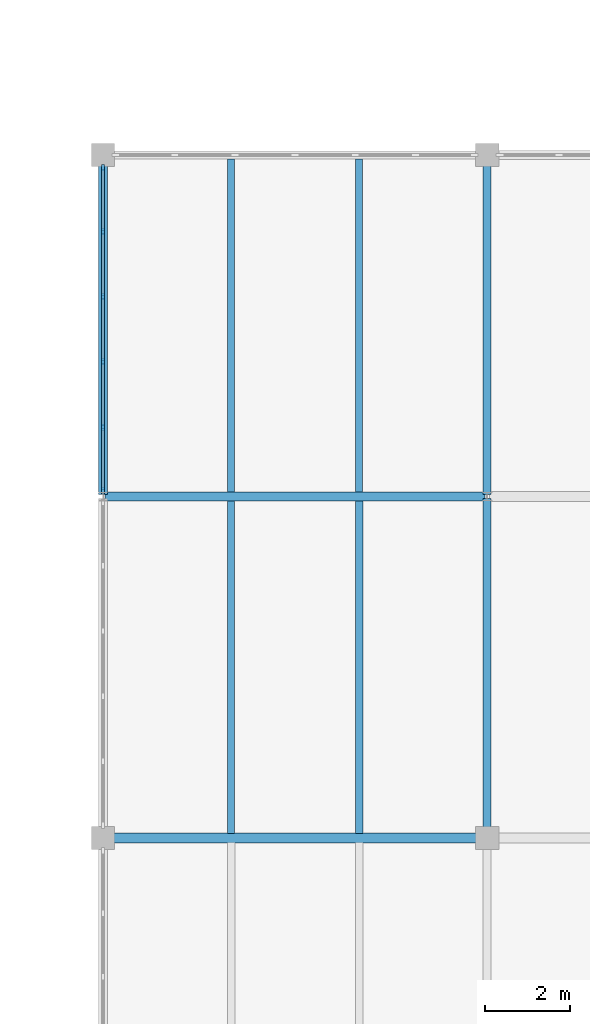
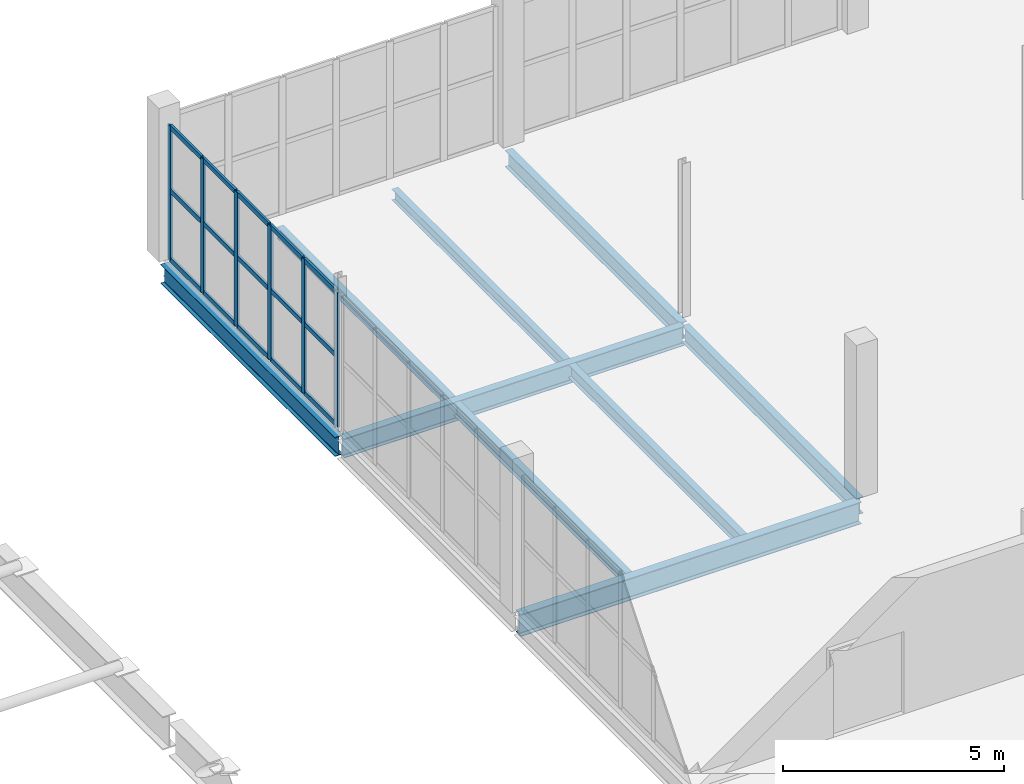
# One storey, part 15 of 54: 21 members, 9 beams, 1 element without a shape of its own.
"""IFC4 building model written with IfcOpenShell, lengths in metres."""

import ifcopenshell
import ifcopenshell.guid

model = None  # the IFC model being written
_history = None  # IfcOwnerHistory: only IFC2X3 demands one
_inside = {}  # id of a spatial element -> (the spatial element, [elements in it])
_under = {}  # id of a project, library or spatial element -> (it, [spatial elements below it])
_declared = {}  # id of a project -> (the project, [libraries it declares])
_typed = {}  # id of a type object -> (the type object, [elements of that type])
_made_of = {}  # id of a material, layer set ... -> (it, [elements and type objects made of it])


def new_model(schema):
    """Start an empty IFC model of exactly this schema.

    Asked for "IFC4X3", IfcOpenShell would pick the latest addendum, in which some entities
    have other attributes; the version numbers below select the first issue.
    IFC2X3 requires an IfcOwnerHistory on every rooted entity: one is made here for all.
    """
    global model, _history
    if schema == "IFC4X3":
        model = ifcopenshell.file(schema_version=(4, 3, 0, 0))
    else:
        model = ifcopenshell.file(schema=schema)
    _inside.clear()
    _under.clear()
    _declared.clear()
    _typed.clear()
    _made_of.clear()
    _history = None
    if model.schema == "IFC2X3":
        org = make("IfcOrganization", Name="unknown")
        user = make(
            "IfcPersonAndOrganization",
            ThePerson=make("IfcPerson", FamilyName="unknown"),
            TheOrganization=org,
        )
        app = make(
            "IfcApplication",
            ApplicationDeveloper=org,
            Version="unknown",
            ApplicationFullName="unknown",
            ApplicationIdentifier="unknown",
        )
        _history = make(
            "IfcOwnerHistory",
            OwningUser=user,
            OwningApplication=app,
            ChangeAction="ADDED",
            CreationDate=0,
        )
    return model


def make(cls, **values):
    """One entity of the class cls with the attributes given. An attribute that is None is left unset."""
    return model.create_entity(
        cls, **{name: value for name, value in values.items() if value is not None}
    )


def rooted(cls, **values):
    """An entity with a GlobalId (a new one), such as an element, a storey or a relation."""
    return make(cls, GlobalId=ifcopenshell.guid.new(), OwnerHistory=_history, **values)


def si_unit(unit_type, name, prefix=None):
    """IfcSIUnit, for example si_unit("LENGTHUNIT", "METRE", prefix="MILLI")."""
    return make("IfcSIUnit", UnitType=unit_type, Prefix=prefix, Name=name)


def assignment(units):
    """IfcUnitAssignment: the units of a project."""
    return None if units is None else make("IfcUnitAssignment", Units=units)


def point(xyz):
    """IfcCartesianPoint."""
    return None if xyz is None else make("IfcCartesianPoint", Coordinates=xyz)


def direction(xyz):
    """IfcDirection."""
    return None if xyz is None else make("IfcDirection", DirectionRatios=xyz)


def frame(location, z_axis=None, x_axis=None):
    """IfcAxis2Placement3D, a coordinate frame: its origin and axes. An axis left out is left unset."""
    return make(
        "IfcAxis2Placement3D",
        Location=point(location),
        Axis=direction(z_axis),
        RefDirection=direction(x_axis),
    )


def frame_2d(location, x_axis=None):
    """IfcAxis2Placement2D, a coordinate frame in the plane: its origin and x axis."""
    return make(
        "IfcAxis2Placement2D", Location=point(location), RefDirection=direction(x_axis)
    )


def origin():
    """The frame at (0, 0, 0) with its axes left unset."""
    return frame((0.0, 0.0, 0.0))


def origin_2d():
    """The frame at (0, 0) in the plane with its x axis left unset."""
    return frame_2d((0.0, 0.0))


def place(relative_to, where):
    """IfcLocalPlacement: puts the frame where relative to a parent placement (None: the world)."""
    return make(
        "IfcLocalPlacement", PlacementRelTo=relative_to, RelativePlacement=where
    )


def context(
    kind, dimensions, precision=None, world=None, true_north=None, identifier=None
):
    """IfcGeometricRepresentationContext, for example the 3D "Model" context."""
    return make(
        "IfcGeometricRepresentationContext",
        ContextIdentifier=identifier,
        ContextType=kind,
        CoordinateSpaceDimension=dimensions,
        Precision=precision,
        WorldCoordinateSystem=world,
        TrueNorth=true_north,
    )


def subcontext(parent, identifier, kind, view, scale=None):
    """IfcGeometricRepresentationSubContext, for example "Body" below "Model"."""
    return make(
        "IfcGeometricRepresentationSubContext",
        ContextIdentifier=identifier,
        ContextType=kind,
        ParentContext=parent,
        TargetScale=scale,
        TargetView=view,
    )


def project(units=None, contexts=None):
    """IfcProject with its units and contexts."""
    return rooted(
        "IfcProject",
        Name="project",
        RepresentationContexts=contexts,
        UnitsInContext=assignment(units),
    )


def spatial(cls, under=None, at=None, **own):
    """A site, building, storey or space (cls), placed at a placement, below another one or the project."""
    s = rooted(cls, ObjectPlacement=at, **own)
    if under is not None:
        _under.setdefault(under.id(), (under, []))[1].append(s)
    return s


def profile(cls, at=None, kind="AREA", **sizes):
    """A parametric profile (cls). Its sizes go by their IFC names, for example OverallWidth=200.0."""
    return make(cls, ProfileType=kind, Position=at, **sizes)


def rectangle(**sizes):
    """IfcRectangleProfileDef."""
    return profile("IfcRectangleProfileDef", **sizes)


def i_section(**sizes):
    """IfcIShapeProfileDef."""
    return profile("IfcIShapeProfileDef", **sizes)


def extrude(swept, where, along, depth):
    """IfcExtrudedAreaSolid: the profile swept, set in the frame where, extruded along a direction by depth."""
    return make(
        "IfcExtrudedAreaSolid",
        SweptArea=swept,
        Position=where,
        ExtrudedDirection=direction(along),
        Depth=depth,
    )


def shape(context_of_items, identifier, shape_type, items):
    """IfcShapeRepresentation: the items that make up one representation, for example the "Body"."""
    return make(
        "IfcShapeRepresentation",
        ContextOfItems=context_of_items,
        RepresentationIdentifier=identifier,
        RepresentationType=shape_type,
        Items=items,
    )


def material(Name=None, Category=None):
    """IfcMaterial."""
    return make("IfcMaterial", Name=Name, Category=Category)


def layer(
    of_material, thickness, ventilated=None, Name=None, Category=None, Priority=None
):
    """IfcMaterialLayer: one layer of a wall or slab, of a material (None: an air gap)."""
    return make(
        "IfcMaterialLayer",
        Material=of_material,
        LayerThickness=thickness,
        IsVentilated=ventilated,
        Name=Name,
        Category=Category,
        Priority=Priority,
    )


def layer_set(layers, Name=None):
    """IfcMaterialLayerSet."""
    return make("IfcMaterialLayerSet", MaterialLayers=layers, LayerSetName=Name)


def material_profile(
    of_material, cross_section, Name=None, Category=None, Priority=None
):
    """IfcMaterialProfile: a cross section and its material."""
    return make(
        "IfcMaterialProfile",
        Name=Name,
        Material=of_material,
        Profile=cross_section,
        Priority=Priority,
        Category=Category,
    )


def profile_set(profiles, Name=None, composite=None):
    """IfcMaterialProfileSet."""
    return make(
        "IfcMaterialProfileSet",
        Name=Name,
        MaterialProfiles=profiles,
        CompositeProfile=composite,
    )


def made_of(thing, what):
    """Note that an element or type object is made of a material, layer set ...; save() writes the relation."""
    if what is not None:
        _made_of.setdefault(what.id(), (what, []))[1].append(thing)
    return thing


def type_object(cls, material=None, **own):
    """A type object (cls), such as IfcWallType, which elements share."""
    return made_of(rooted(cls, **own), material)


def element(
    cls,
    number,
    at=None,
    inside=None,
    cuts=None,
    type_object=None,
    material=None,
    context=None,
    identifier="Body",
    shape_type=None,
    held_by="IfcProductDefinitionShape",
    body=None,
    shapes=None,
    **own,
):
    """One element of the class cls, such as IfcWall. Its Tag is "e" and its number.

    at: its placement. inside: the storey or other place that contains it. cuts: it is an
    opening in that element (IfcRelVoidsElement). A single representation is given by context,
    identifier, shape_type and body (its items); several are given by shapes. held_by: the class
    of the entity that holds the representations. save() writes the other relations.
    """
    e = rooted(cls, Tag="e%d" % number, ObjectPlacement=at, **own)
    if body is not None:
        shapes = [shape(context, identifier, shape_type, body)]
    if shapes is not None:
        e.Representation = make(held_by, Representations=shapes)
    if inside is not None:
        _inside.setdefault(inside.id(), (inside, []))[1].append(e)
    if cuts is not None:
        rooted(
            "IfcRelVoidsElement", RelatingBuildingElement=cuts, RelatedOpeningElement=e
        )
    if type_object is not None:
        _typed.setdefault(type_object.id(), (type_object, []))[1].append(e)
    return made_of(e, material)


def aggregate(whole, parts):
    """IfcRelAggregates: a whole, such as a stair, and the parts it consists of."""
    return rooted("IfcRelAggregates", RelatingObject=whole, RelatedObjects=parts)


def save(model, path):
    """Write the relations noted so far, then the file.

    IfcRelAggregates (storeys below a building ...), IfcRelContainedInSpatialStructure (elements
    in a storey), IfcRelDefinesByType, IfcRelAssociatesMaterial and IfcRelDeclares: one each for
    every whole, place, type object, material and project.
    """
    for whole, parts in _under.values():
        aggregate(whole, parts)
    for where, things in _inside.values():
        rooted(
            "IfcRelContainedInSpatialStructure",
            RelatedElements=things,
            RelatingStructure=where,
        )
    for kind, things in _typed.values():
        rooted("IfcRelDefinesByType", RelatedObjects=things, RelatingType=kind)
    for what, things in _made_of.values():
        rooted("IfcRelAssociatesMaterial", RelatedObjects=things, RelatingMaterial=what)
    for by, libraries in _declared.values():
        rooted("IfcRelDeclares", RelatingContext=by, RelatedDefinitions=libraries)
    model.write(path)


model = new_model("IFC4")

# Units and contexts
model_context = context("Model", 3, precision=1e-05, world=origin(), true_north=direction((0.0, 1.0)))
body_context = subcontext(model_context, "Body", "Model", "MODEL_VIEW")
ifc_project = project(units=[si_unit("LENGTHUNIT", "METRE"), si_unit("AREAUNIT", "SQUARE_METRE"), si_unit("VOLUMEUNIT", "CUBIC_METRE"), si_unit("PLANEANGLEUNIT", "RADIAN"), si_unit("MASSUNIT", "GRAM", prefix="KILO")], contexts=[model_context])

# Site, building, storey
site_placement = place(None, origin())
site = spatial("IfcSite", under=ifc_project, at=site_placement, CompositionType="ELEMENT")
building_placement = place(site_placement, origin())
building = spatial("IfcBuilding", under=site, at=building_placement, Name="Marnock Terrace Opera House", CompositionType="ELEMENT")
storey_placement = place(building_placement, frame((0.0, 0.0, 19.199951171875)))
storey = spatial("IfcBuildingStorey", under=building, at=storey_placement, Name="L04", CompositionType="ELEMENT", Elevation=19.199951171875)

# Beams
ifc_material_1 = material(Name="Steel Grade 350 (AS/NZS 3679.1)", Category="steel")
ifc_material_profile_1 = material_profile(ifc_material_1, i_section(OverallWidth=0.18994140625, OverallDepth=0.45751953125, WebThickness=0.009033203125, FlangeThickness=0.014404296875, FilletRadius=0.011474609375, at=origin_2d()))
ifc_profile_set_1 = profile_set([ifc_material_profile_1], Name="Steel Grade 350 (AS/NZS 3679.1)")
beam_type_1 = type_object("IfcBeamType", Name="BM-GIRD-460B", PredefinedType="BEAM", material=ifc_profile_set_1)
for number, where, z_axis, x_axis, name in (
    (1, (127.0, 24.050048828125, -0.478759765625), (0.0, 1.0, 0.0), (-1.0, 0.0, 0.0), "L04 girder (X=127.0, 24.0..32.0)"),
    (2, (127.0, 32.050048828125, -0.478759765625), (0.0, 1.0, 0.0), (-1.0, 0.0, 0.0), "L04 girder (X=127.0, 32.0..40.0)"),
):
    element("IfcBeam", number, at=place(storey_placement, frame(where, z_axis=z_axis, x_axis=x_axis)), inside=storey, type_object=beam_type_1, Name=name, PredefinedType="BEAM", context=body_context, shape_type="SweptSolid", body=[
        extrude(i_section(OverallWidth=0.18994140625, OverallDepth=0.45751953125, WebThickness=0.009033203125, FlangeThickness=0.014404296875, FilletRadius=0.011474609375, at=origin_2d()), origin(), (0.0, 0.0, 1.0), 7.89990234375),
    ])
ifc_material_profile_2 = material_profile(ifc_material_1, i_section(OverallWidth=0.208984375, OverallDepth=0.532958984375, WebThickness=0.01025390625, FlangeThickness=0.015625, FilletRadius=0.013916015625, at=origin_2d()))
ifc_profile_set_2 = profile_set([ifc_material_profile_2], Name="Steel Grade 350 (AS/NZS 3679.1)")
beam_type_2 = type_object("IfcBeamType", Name="BM-GIRD-530A", PredefinedType="BEAM", material=ifc_profile_set_2)
beam_1_placement = place(storey_placement, frame((118.050048828125, 32.0, -0.516357421875), z_axis=(1.0, 0.0, 0.0), x_axis=(0.0, 1.0, 0.0)))
element("IfcBeam", 3, at=beam_1_placement, inside=storey, type_object=beam_type_2, Name="L04 girder (118.0..127.0, Y=32.0)", PredefinedType="BEAM", context=body_context, shape_type="SweptSolid", body=[
    extrude(i_section(OverallWidth=0.208984375, OverallDepth=0.532958984375, WebThickness=0.01025390625, FlangeThickness=0.015625, FilletRadius=0.013916015625, at=origin_2d()), origin(), (0.0, 0.0, 1.0), 8.89990234375),
])
ifc_material_profile_3 = material_profile(ifc_material_1, i_section(OverallWidth=0.208984375, OverallDepth=0.528076171875, WebThickness=0.009521484375, FlangeThickness=0.01318359375, FilletRadius=0.013916015625, at=origin_2d()))
ifc_profile_set_3 = profile_set([ifc_material_profile_3], Name="Steel Grade 350 (AS/NZS 3679.1)")
beam_type_3 = type_object("IfcBeamType", Name="BM-GIRD-530B", PredefinedType="BEAM", material=ifc_profile_set_3)
beam_2_placement = place(storey_placement, frame((118.0, 32.050048828125, -0.513916015625), z_axis=(0.0, 1.0, 0.0), x_axis=(-1.0, 0.0, 0.0)))
element("IfcBeam", 4, at=beam_2_placement, inside=storey, type_object=beam_type_3, Name="L04 girder (X=118.0, 32.0..40.0)", PredefinedType="BEAM", context=body_context, shape_type="SweptSolid", body=[
    extrude(i_section(OverallWidth=0.208984375, OverallDepth=0.528076171875, WebThickness=0.009521484375, FlangeThickness=0.01318359375, FilletRadius=0.013916015625, at=origin_2d()), origin(), (0.0, 0.0, 1.0), 7.89990234375),
])
ifc_material_profile_4 = material_profile(ifc_material_1, i_section(OverallWidth=0.22802734375, OverallDepth=0.60693359375, WebThickness=0.01123046875, FlangeThickness=0.017333984375, FilletRadius=0.013916015625, at=origin_2d()))
ifc_profile_set_4 = profile_set([ifc_material_profile_4], Name="Steel Grade 350 (AS/NZS 3679.1)")
beam_type_4 = type_object("IfcBeamType", Name="BM-GIRD-610B", PredefinedType="BEAM", material=ifc_profile_set_4)
beam_3_placement = place(storey_placement, frame((118.050048828125, 24.0, -0.553466796875), z_axis=(1.0, 0.0, 0.0), x_axis=(0.0, 1.0, 0.0)))
element("IfcBeam", 5, at=beam_3_placement, inside=storey, type_object=beam_type_4, Name="L04 girder (118.0..127.0, Y=24.0)", PredefinedType="BEAM", context=body_context, shape_type="SweptSolid", body=[
    extrude(i_section(OverallWidth=0.22802734375, OverallDepth=0.60693359375, WebThickness=0.01123046875, FlangeThickness=0.017333984375, FilletRadius=0.013916015625, at=origin_2d()), origin(), (0.0, 0.0, 1.0), 8.89990234375),
])
ifc_material_profile_5 = material_profile(ifc_material_1, i_section(OverallWidth=0.166015625, OverallDepth=0.30712890625, WebThickness=0.006591796875, FlangeThickness=0.01171875, FilletRadius=0.011474609375, at=origin_2d()))
ifc_profile_set_5 = profile_set([ifc_material_profile_5], Name="Steel Grade 350 (AS/NZS 3679.1)")
beam_type_5 = type_object("IfcBeamType", Name="BM-JOIST-310A", PredefinedType="JOIST", material=ifc_profile_set_5)
for number, where, z_axis, x_axis, name in (
    (6, (121.0, 32.099609375, -0.403564453125), (0.0, 1.0, 0.0), (-1.0, 0.0, 0.0), "L04 secondary joist 13.4.1"),
    (7, (124.0, 32.099609375, -0.403564453125), (0.0, 1.0, 0.0), (-1.0, 0.0, 0.0), "L04 secondary joist 13.4.2"),
):
    element("IfcBeam", number, at=place(storey_placement, frame(where, z_axis=z_axis, x_axis=x_axis)), inside=storey, type_object=beam_type_5, Name=name, PredefinedType="JOIST", context=body_context, shape_type="SweptSolid", body=[
        extrude(i_section(OverallWidth=0.166015625, OverallDepth=0.30712890625, WebThickness=0.006591796875, FlangeThickness=0.01171875, FilletRadius=0.011474609375, at=origin_2d()), origin(), (0.0, 0.0, 1.0), 7.809814453125),
    ])
ifc_material_profile_6 = material_profile(ifc_material_1, i_section(OverallWidth=0.172119140625, OverallDepth=0.358642578125, WebThickness=0.008056640625, FlangeThickness=0.012939453125, FilletRadius=0.011474609375, at=origin_2d()))
ifc_profile_set_6 = profile_set([ifc_material_profile_6], Name="Steel Grade 350 (AS/NZS 3679.1)")
beam_type_6 = type_object("IfcBeamType", Name="BM-JOIST-360", PredefinedType="JOIST", material=ifc_profile_set_6)
for number, where, z_axis, x_axis, name in (
    (8, (121.0, 24.10888671875, -0.42919921875), (0.0, 1.0, 0.0), (-1.0, 0.0, 0.0), "L04 secondary joist 13.3.1"),
    (9, (124.0, 24.10888671875, -0.42919921875), (0.0, 1.0, 0.0), (-1.0, 0.0, 0.0), "L04 secondary joist 13.3.2"),
):
    element("IfcBeam", number, at=place(storey_placement, frame(where, z_axis=z_axis, x_axis=x_axis)), inside=storey, type_object=beam_type_6, Name=name, PredefinedType="JOIST", context=body_context, shape_type="SweptSolid", body=[
        extrude(i_section(OverallWidth=0.172119140625, OverallDepth=0.358642578125, WebThickness=0.008056640625, FlangeThickness=0.012939453125, FilletRadius=0.011474609375, at=origin_2d()), origin(), (0.0, 0.0, 1.0), 7.79150390625),
    ])

# Curtain wall, members
ifc_material_2 = material(Name="Anodised architectural bronze aluminium framing", Category="aluminium")
ifc_layer = layer(ifc_material_2, 0.159912109375)
ifc_layer_set = layer_set([ifc_layer], Name="Anodised architectural bronze aluminium framing")
curtain_wall_type = type_object("IfcCurtainWallType", Name="CW-DRUM-71x39", PredefinedType="NOTDEFINED", material=ifc_layer_set)
curtain_wall_placement = place(storey_placement, origin())
curtain_wall = element("IfcCurtainWall", 10, at=curtain_wall_placement, inside=storey, type_object=curtain_wall_type, Name="L04 glazed Beaux-Arts colonnade curtain wall CW-L04-V5W3", PredefinedType="NOTDEFINED")
ifc_material_profile_7 = material_profile(ifc_material_2, rectangle(XDim=0.06005859375, YDim=0.14990234375, at=origin_2d()))
ifc_profile_set_7 = profile_set([ifc_material_profile_7], Name="Anodised architectural bronze aluminium framing")
member_type_1 = type_object("IfcMemberType", Name="CWM-60x150", PredefinedType="MULLION", material=ifc_profile_set_7)
member_1_placement = place(storey_placement, frame((118.0, 32.130859375, 0.0), z_axis=(0.0, 0.0, 1.0), x_axis=(-1.0, 0.0, 0.0)))
member_1 = element("IfcMember", 11, at=member_1_placement, type_object=member_type_1, Name="CW-76 mullion 1", PredefinedType="MULLION", context=body_context, shape_type="SweptSolid", body=[
    extrude(rectangle(XDim=0.06005859375, YDim=0.14990234375, at=origin_2d()), origin(), (0.0, 0.0, 1.0), 3.72216796875),
])
member_2_placement = place(storey_placement, frame((118.0, 33.62646484375, 0.0), z_axis=(0.0, 0.0, 1.0), x_axis=(-1.0, 0.0, 0.0)))
member_2 = element("IfcMember", 12, at=member_2_placement, type_object=member_type_1, Name="CW-76 mullion 2", PredefinedType="MULLION", context=body_context, shape_type="SweptSolid", body=[
    extrude(rectangle(XDim=0.06005859375, YDim=0.14990234375, at=origin_2d()), origin(), (0.0, 0.0, 1.0), 3.72216796875),
])
member_3_placement = place(storey_placement, frame((118.0, 35.152099609375, 0.0), z_axis=(0.0, 0.0, 1.0), x_axis=(-1.0, 0.0, 0.0)))
member_3 = element("IfcMember", 13, at=member_3_placement, type_object=member_type_1, Name="CW-76 mullion 3", PredefinedType="MULLION", context=body_context, shape_type="SweptSolid", body=[
    extrude(rectangle(XDim=0.06005859375, YDim=0.14990234375, at=origin_2d()), origin(), (0.0, 0.0, 1.0), 3.72216796875),
])
member_4_placement = place(storey_placement, frame((118.0, 36.677734375, 0.0), z_axis=(0.0, 0.0, 1.0), x_axis=(-1.0, 0.0, 0.0)))
member_4 = element("IfcMember", 14, at=member_4_placement, type_object=member_type_1, Name="CW-76 mullion 4", PredefinedType="MULLION", context=body_context, shape_type="SweptSolid", body=[
    extrude(rectangle(XDim=0.06005859375, YDim=0.14990234375, at=origin_2d()), origin(), (0.0, 0.0, 1.0), 3.72216796875),
])
member_5_placement = place(storey_placement, frame((118.0, 38.203369140625, 0.0), z_axis=(0.0, 0.0, 1.0), x_axis=(-1.0, 0.0, 0.0)))
member_5 = element("IfcMember", 15, at=member_5_placement, type_object=member_type_1, Name="CW-76 mullion 5", PredefinedType="MULLION", context=body_context, shape_type="SweptSolid", body=[
    extrude(rectangle(XDim=0.06005859375, YDim=0.14990234375, at=origin_2d()), origin(), (0.0, 0.0, 1.0), 3.72216796875),
])
member_6_placement = place(storey_placement, frame((118.0, 39.698974609375, 0.0), z_axis=(0.0, 0.0, 1.0), x_axis=(-1.0, 0.0, 0.0)))
member_6 = element("IfcMember", 16, at=member_6_placement, type_object=member_type_1, Name="CW-76 mullion 6", PredefinedType="MULLION", context=body_context, shape_type="SweptSolid", body=[
    extrude(rectangle(XDim=0.06005859375, YDim=0.14990234375, at=origin_2d()), origin(), (0.0, 0.0, 1.0), 3.72216796875),
])
ifc_material_profile_8 = material_profile(ifc_material_2, rectangle(XDim=0.06005859375, YDim=0.1298828125, at=origin_2d()))
ifc_profile_set_8 = profile_set([ifc_material_profile_8], Name="Anodised architectural bronze aluminium framing")
member_type_2 = type_object("IfcMemberType", Name="CWT-60x130", PredefinedType="USERDEFINED", material=ifc_profile_set_8)
member_7_placement = place(storey_placement, frame((118.0, 32.160888671875, 0.030029296875), z_axis=(0.0, 1.0, 0.0), x_axis=(-1.0, 0.0, 0.0)))
member_7 = element("IfcMember", 17, at=member_7_placement, type_object=member_type_2, Name="CW-76 transom 1.1", ObjectType="TRANSOM", PredefinedType="USERDEFINED", context=body_context, shape_type="SweptSolid", body=[
    extrude(rectangle(XDim=0.06005859375, YDim=0.1298828125, at=origin_2d()), origin(), (0.0, 0.0, 1.0), 1.435546875),
])
member_8_placement = place(storey_placement, frame((118.0, 32.160888671875, 1.935546875), z_axis=(0.0, 1.0, 0.0), x_axis=(-1.0, 0.0, 0.0)))
member_8 = element("IfcMember", 18, at=member_8_placement, type_object=member_type_2, Name="CW-76 transom 1.2", ObjectType="TRANSOM", PredefinedType="USERDEFINED", context=body_context, shape_type="SweptSolid", body=[
    extrude(rectangle(XDim=0.06005859375, YDim=0.1298828125, at=origin_2d()), origin(), (0.0, 0.0, 1.0), 1.435546875),
])
member_9_placement = place(storey_placement, frame((118.0, 32.160888671875, 3.692138671875), z_axis=(0.0, 1.0, 0.0), x_axis=(-1.0, 0.0, 0.0)))
member_9 = element("IfcMember", 19, at=member_9_placement, type_object=member_type_2, Name="CW-76 transom 1.3", ObjectType="TRANSOM", PredefinedType="USERDEFINED", context=body_context, shape_type="SweptSolid", body=[
    extrude(rectangle(XDim=0.06005859375, YDim=0.1298828125, at=origin_2d()), origin(), (0.0, 0.0, 1.0), 1.435546875),
])
member_10_placement = place(storey_placement, frame((118.0, 33.656494140625, 0.030029296875), z_axis=(0.0, 1.0, 0.0), x_axis=(-1.0, 0.0, 0.0)))
member_10 = element("IfcMember", 20, at=member_10_placement, type_object=member_type_2, Name="CW-76 transom 2.1", ObjectType="TRANSOM", PredefinedType="USERDEFINED", context=body_context, shape_type="SweptSolid", body=[
    extrude(rectangle(XDim=0.06005859375, YDim=0.1298828125, at=origin_2d()), origin(), (0.0, 0.0, 1.0), 1.465576171875),
])
member_11_placement = place(storey_placement, frame((118.0, 33.656494140625, 1.935546875), z_axis=(0.0, 1.0, 0.0), x_axis=(-1.0, 0.0, 0.0)))
member_11 = element("IfcMember", 21, at=member_11_placement, type_object=member_type_2, Name="CW-76 transom 2.2", ObjectType="TRANSOM", PredefinedType="USERDEFINED", context=body_context, shape_type="SweptSolid", body=[
    extrude(rectangle(XDim=0.06005859375, YDim=0.1298828125, at=origin_2d()), origin(), (0.0, 0.0, 1.0), 1.465576171875),
])
member_12_placement = place(storey_placement, frame((118.0, 33.656494140625, 3.692138671875), z_axis=(0.0, 1.0, 0.0), x_axis=(-1.0, 0.0, 0.0)))
member_12 = element("IfcMember", 22, at=member_12_placement, type_object=member_type_2, Name="CW-76 transom 2.3", ObjectType="TRANSOM", PredefinedType="USERDEFINED", context=body_context, shape_type="SweptSolid", body=[
    extrude(rectangle(XDim=0.06005859375, YDim=0.1298828125, at=origin_2d()), origin(), (0.0, 0.0, 1.0), 1.465576171875),
])
member_13_placement = place(storey_placement, frame((118.0, 35.18212890625, 0.030029296875), z_axis=(0.0, 1.0, 0.0), x_axis=(-1.0, 0.0, 0.0)))
member_13 = element("IfcMember", 23, at=member_13_placement, type_object=member_type_2, Name="CW-76 transom 3.1", ObjectType="TRANSOM", PredefinedType="USERDEFINED", context=body_context, shape_type="SweptSolid", body=[
    extrude(rectangle(XDim=0.06005859375, YDim=0.1298828125, at=origin_2d()), origin(), (0.0, 0.0, 1.0), 1.465576171875),
])
member_14_placement = place(storey_placement, frame((118.0, 35.18212890625, 1.935546875), z_axis=(0.0, 1.0, 0.0), x_axis=(-1.0, 0.0, 0.0)))
member_14 = element("IfcMember", 24, at=member_14_placement, type_object=member_type_2, Name="CW-76 transom 3.2", ObjectType="TRANSOM", PredefinedType="USERDEFINED", context=body_context, shape_type="SweptSolid", body=[
    extrude(rectangle(XDim=0.06005859375, YDim=0.1298828125, at=origin_2d()), origin(), (0.0, 0.0, 1.0), 1.465576171875),
])
member_15_placement = place(storey_placement, frame((118.0, 35.18212890625, 3.692138671875), z_axis=(0.0, 1.0, 0.0), x_axis=(-1.0, 0.0, 0.0)))
member_15 = element("IfcMember", 25, at=member_15_placement, type_object=member_type_2, Name="CW-76 transom 3.3", ObjectType="TRANSOM", PredefinedType="USERDEFINED", context=body_context, shape_type="SweptSolid", body=[
    extrude(rectangle(XDim=0.06005859375, YDim=0.1298828125, at=origin_2d()), origin(), (0.0, 0.0, 1.0), 1.465576171875),
])
member_16_placement = place(storey_placement, frame((118.0, 36.707763671875, 0.030029296875), z_axis=(0.0, 1.0, 0.0), x_axis=(-1.0, 0.0, 0.0)))
member_16 = element("IfcMember", 26, at=member_16_placement, type_object=member_type_2, Name="CW-76 transom 4.1", ObjectType="TRANSOM", PredefinedType="USERDEFINED", context=body_context, shape_type="SweptSolid", body=[
    extrude(rectangle(XDim=0.06005859375, YDim=0.1298828125, at=origin_2d()), origin(), (0.0, 0.0, 1.0), 1.465576171875),
])
member_17_placement = place(storey_placement, frame((118.0, 36.707763671875, 1.935546875), z_axis=(0.0, 1.0, 0.0), x_axis=(-1.0, 0.0, 0.0)))
member_17 = element("IfcMember", 27, at=member_17_placement, type_object=member_type_2, Name="CW-76 transom 4.2", ObjectType="TRANSOM", PredefinedType="USERDEFINED", context=body_context, shape_type="SweptSolid", body=[
    extrude(rectangle(XDim=0.06005859375, YDim=0.1298828125, at=origin_2d()), origin(), (0.0, 0.0, 1.0), 1.465576171875),
])
member_18_placement = place(storey_placement, frame((118.0, 36.707763671875, 3.692138671875), z_axis=(0.0, 1.0, 0.0), x_axis=(-1.0, 0.0, 0.0)))
member_18 = element("IfcMember", 28, at=member_18_placement, type_object=member_type_2, Name="CW-76 transom 4.3", ObjectType="TRANSOM", PredefinedType="USERDEFINED", context=body_context, shape_type="SweptSolid", body=[
    extrude(rectangle(XDim=0.06005859375, YDim=0.1298828125, at=origin_2d()), origin(), (0.0, 0.0, 1.0), 1.465576171875),
])
member_19_placement = place(storey_placement, frame((118.0, 38.2333984375, 0.030029296875), z_axis=(0.0, 1.0, 0.0), x_axis=(-1.0, 0.0, 0.0)))
member_19 = element("IfcMember", 29, at=member_19_placement, type_object=member_type_2, Name="CW-76 transom 5.1", ObjectType="TRANSOM", PredefinedType="USERDEFINED", context=body_context, shape_type="SweptSolid", body=[
    extrude(rectangle(XDim=0.06005859375, YDim=0.1298828125, at=origin_2d()), origin(), (0.0, 0.0, 1.0), 1.435546875),
])
member_20_placement = place(storey_placement, frame((118.0, 38.2333984375, 1.935546875), z_axis=(0.0, 1.0, 0.0), x_axis=(-1.0, 0.0, 0.0)))
member_20 = element("IfcMember", 30, at=member_20_placement, type_object=member_type_2, Name="CW-76 transom 5.2", ObjectType="TRANSOM", PredefinedType="USERDEFINED", context=body_context, shape_type="SweptSolid", body=[
    extrude(rectangle(XDim=0.06005859375, YDim=0.1298828125, at=origin_2d()), origin(), (0.0, 0.0, 1.0), 1.435546875),
])
member_21_placement = place(storey_placement, frame((118.0, 38.2333984375, 3.692138671875), z_axis=(0.0, 1.0, 0.0), x_axis=(-1.0, 0.0, 0.0)))
member_21 = element("IfcMember", 31, at=member_21_placement, type_object=member_type_2, Name="CW-76 transom 5.3", ObjectType="TRANSOM", PredefinedType="USERDEFINED", context=body_context, shape_type="SweptSolid", body=[
    extrude(rectangle(XDim=0.06005859375, YDim=0.1298828125, at=origin_2d()), origin(), (0.0, 0.0, 1.0), 1.435546875),
])
aggregate(curtain_wall, [member_1, member_2, member_3, member_4, member_5, member_6, member_7, member_8, member_9, member_10, member_11, member_12, member_13, member_14, member_15, member_16, member_17, member_18, member_19, member_20, member_21])

save(model, "model.ifc")
